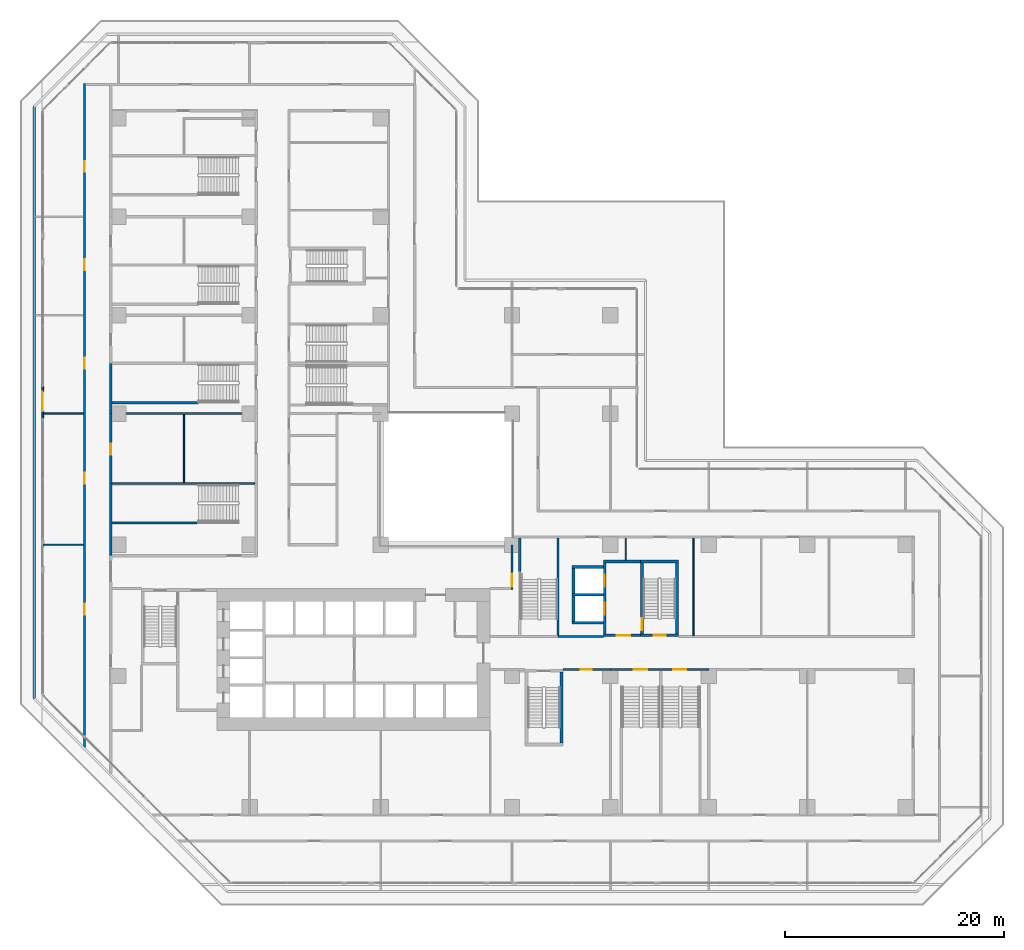
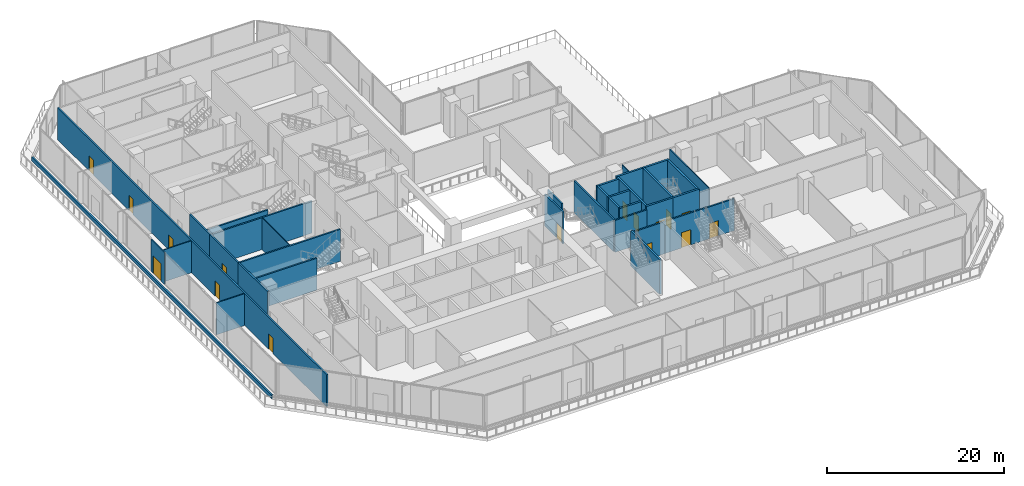
# One storey, part 13 of 25: 34 walls, 16 doors, 16 openings.
"""IFC4 building model written with IfcOpenShell, lengths in metres."""

from ifc_helpers import new_model, si_unit, direction, frame, frame_2d, origin, place, context, subcontext, project, spatial, rectangle, extrude, material, layer, layer_set, type_object, element, fill, save


model = new_model("IFC4")

# Units and contexts
model_context = context("Model", 3, precision=1e-05, world=origin(), true_north=direction((0.0, 1.0)))
body_context = subcontext(model_context, "Body", "Model", "MODEL_VIEW")
ifc_project = project(units=[si_unit("LENGTHUNIT", "METRE"), si_unit("AREAUNIT", "SQUARE_METRE"), si_unit("VOLUMEUNIT", "CUBIC_METRE"), si_unit("PLANEANGLEUNIT", "RADIAN"), si_unit("MASSUNIT", "GRAM", prefix="KILO")], contexts=[model_context])

# Site, building, storey
site_placement = place(None, origin())
site = spatial("IfcSite", under=ifc_project, at=site_placement, CompositionType="ELEMENT")
building_placement = place(site_placement, origin())
building = spatial("IfcBuilding", under=site, at=building_placement, Name="Chenar Terraces", CompositionType="ELEMENT")
storey_placement = place(building_placement, frame((0.0, 0.0, 21.60009765625)))
storey = spatial("IfcBuildingStorey", under=building, at=storey_placement, Name="L04", CompositionType="ELEMENT", Elevation=21.60009765625)

# Walls
ifc_material_1 = material(Name="Gypsum board on steel studs with mineral wool", Category="steel")
ifc_layer_1 = layer(ifc_material_1, 0.125)
ifc_layer_set_1 = layer_set([ifc_layer_1], Name="Gypsum board on steel studs with mineral wool")
wall_type_1 = type_object("IfcWallType", Name="Acoustic partition 125", PredefinedType="PARTITIONING", material=ifc_layer_set_1)
for number, where, z_axis, x_axis, name in (
    (1, (-6.85107421875, 24.0, 0.0), (0.0, 0.0, 1.0), (1.0, 0.0, 0.0), "Partition L04-003"),
    (2, (-6.85107421875, 36.0, 0.0), (0.0, 0.0, 1.0), (1.0, 0.0, 0.0), "Partition L04-004"),
):
    element("IfcWall", number, at=place(storey_placement, frame(where, z_axis=z_axis, x_axis=x_axis)), inside=storey, type_object=wall_type_1, Name=name, PredefinedType="PARTITIONING", context=body_context, shape_type="SweptSolid", body=[
        extrude(rectangle(XDim=3.651123046875, YDim=0.125, at=frame_2d((1.82568359375, 0.0))), origin(), (0.0, 0.0, 1.0), 4.39990234375),
    ])
wall_1_placement = place(storey_placement, frame((6.0, 29.699951171875, 0.0), z_axis=(0.0, 0.0, 1.0), x_axis=(0.0, 1.0, 0.0)))
element("IfcWall", 3, at=wall_1_placement, inside=storey, type_object=wall_type_1, Name="Partition L04-031", PredefinedType="PARTITIONING", context=body_context, shape_type="SweptSolid", body=[
    extrude(rectangle(XDim=6.199951171875, YDim=0.125, at=frame_2d((3.10009765625, 0.0))), origin(), (0.0, 0.0, 1.0), 4.39990234375),
])
wall_2_placement = place(storey_placement, frame((46.39990234375, 22.60009765625, 0.0), z_axis=(0.0, 0.0, 1.0), x_axis=(0.0, 1.0, 0.0)))
element("IfcWall", 4, at=wall_2_placement, inside=storey, type_object=wall_type_1, Name="Partition L04-091", PredefinedType="PARTITIONING", context=body_context, shape_type="SweptSolid", body=[
    extrude(rectangle(XDim=2.0, YDim=0.125, at=frame_2d((1.0, 0.0))), origin(), (0.0, 0.0, 1.0), 4.39990234375),
])
wall_3_placement = place(storey_placement, frame((52.60009765625, 15.699951171875, 0.0), z_axis=(0.0, 0.0, 1.0), x_axis=(0.0, 1.0, 0.0)))
element("IfcWall", 5, at=wall_3_placement, inside=storey, type_object=wall_type_1, Name="Partition L04-094", PredefinedType="PARTITIONING", context=body_context, shape_type="SweptSolid", body=[
    extrude(rectangle(XDim=8.900146484375, YDim=0.125, at=frame_2d((4.4501953125, 0.0))), origin(), (0.0, 0.0, 1.0), 4.39990234375),
])
ifc_material_2 = material(Name="Concrete C70/85", Category="concrete")
ifc_layer_2 = layer(ifc_material_2, 0.25)
ifc_layer_set_2 = layer_set([ifc_layer_2], Name="Concrete C70/85")
wall_type_2 = type_object("IfcWallType", Name="Core wall 250 Concrete C70/85", PredefinedType="SHEAR", material=ifc_layer_set_2)
wall_4_placement = place(storey_placement, frame((40.52490234375, 5.85009765625, 0.0), z_axis=(0.0, 0.0, 1.0), x_axis=(0.0, 1.0, 0.0)))
element("IfcWall", 6, at=wall_4_placement, inside=storey, type_object=wall_type_2, Name="Core wall ST2_E L04", PredefinedType="SHEAR", context=body_context, shape_type="SweptSolid", body=[
    extrude(rectangle(XDim=6.5, YDim=0.25, at=frame_2d((3.25, 0.0))), origin(), (0.0, 0.0, 1.0), 4.7998046875),
])

# Wall, opening, door
wall_5_placement = place(storey_placement, frame((47.77490234375, 15.72509765625, 0.0), z_axis=(0.0, 0.0, 1.0), x_axis=(1.0, 0.0, 0.0)))
wall_5 = element("IfcWall", 7, at=wall_5_placement, inside=storey, type_object=wall_type_2, Name="Core wall ST3_S L04", PredefinedType="SHEAR", context=body_context, shape_type="SweptSolid", body=[
    extrude(rectangle(XDim=3.4501953125, YDim=0.25, at=frame_2d((1.72509765625, 0.0))), origin(), (0.0, 0.0, 1.0), 4.7998046875),
])
opening_1_placement = place(wall_5_placement, frame((1.175048828125, 0.0, 0.0)))
opening_1 = element("IfcOpeningElement", 8, at=opening_1_placement, cuts=wall_5, Name="Opening DL04-C8", PredefinedType="OPENING", context=body_context, shape_type="SweptSolid", body=[
    extrude(rectangle(XDim=1.10009765625, YDim=2.199951171875, at=frame_2d((0.550048828125, 1.10009765625))), frame((0.0, 0.135009765625, 0.0), z_axis=(0.0, -1.0, 0.0), x_axis=(1.0, 0.0, 0.0)), (0.0, 0.0, 1.0), 0.27001953125),
])
ifc_material_3 = material(Name="Steel-framed fire-resisting door leaf", Category="steel")
door_type_1 = type_object("IfcDoorType", Name="Stair fire door FD60 1100 x 2200", OperationType="SINGLE_SWING_LEFT", PredefinedType="DOOR", material=ifc_material_3)
door_1_placement = place(opening_1_placement, frame((1.10009765625, 0.0, 0.0), z_axis=(0.0, 0.0, 1.0), x_axis=(-1.0, 0.0, 0.0)))
door_1 = element("IfcDoor", 9, at=door_1_placement, inside=storey, type_object=door_type_1, Name="Stair door DL04-C8", OperationType="SINGLE_SWING_LEFT", OverallHeight=2.199951171875, OverallWidth=1.10009765625, PredefinedType="DOOR", context=body_context, shape_type="SweptSolid", body=[
    extrude(rectangle(XDim=1.10009765625, YDim=2.199951171875, at=frame_2d((0.550048828125, 1.10009765625))), frame((0.0, 0.02490234375, 0.0), z_axis=(0.0, -1.0, 0.0), x_axis=(1.0, 0.0, 0.0)), (0.0, 0.0, 1.0), 0.050048828125),
])
fill(opening_1, door_1)

# Wall
wall_6_placement = place(storey_placement, frame((47.77490234375, 22.47509765625, 0.0), z_axis=(0.0, 0.0, 1.0), x_axis=(1.0, 0.0, 0.0)))
element("IfcWall", 10, at=wall_6_placement, inside=storey, type_object=wall_type_2, Name="Core wall ST3_N L04", PredefinedType="SHEAR", context=body_context, shape_type="SweptSolid", body=[
    extrude(rectangle(XDim=3.4501953125, YDim=0.25, at=frame_2d((1.72509765625, 0.0))), origin(), (0.0, 0.0, 1.0), 4.7998046875),
])

# Wall, opening, door
wall_7_placement = place(storey_placement, frame((47.89990234375, 15.85009765625, 0.0), z_axis=(0.0, 0.0, 1.0), x_axis=(0.0, 1.0, 0.0)))
wall_7 = element("IfcWall", 11, at=wall_7_placement, inside=storey, type_object=wall_type_2, Name="Core wall ST3_W L04", PredefinedType="SHEAR", context=body_context, shape_type="SweptSolid", body=[
    extrude(rectangle(XDim=6.5, YDim=0.25, at=frame_2d((3.25, 0.0))), origin(), (0.0, 0.0, 1.0), 4.7998046875),
])
opening_2_placement = place(wall_7_placement, frame((0.35009765625, 0.0, 0.0)))
opening_2 = element("IfcOpeningElement", 12, at=opening_2_placement, cuts=wall_7, Name="Opening DL04-C11", PredefinedType="OPENING", context=body_context, shape_type="SweptSolid", body=[
    extrude(rectangle(XDim=1.10009765625, YDim=2.199951171875, at=frame_2d((0.550048828125, 1.10009765625))), frame((0.0, 0.135009765625, 0.0), z_axis=(0.0, -1.0, 0.0), x_axis=(1.0, 0.0, 0.0)), (0.0, 0.0, 1.0), 0.27001953125),
])
door_2_placement = place(opening_2_placement, frame((1.10009765625, 0.0, 0.0), z_axis=(0.0, 0.0, 1.0), x_axis=(-1.0, 0.0, 0.0)))
door_2 = element("IfcDoor", 13, at=door_2_placement, inside=storey, type_object=door_type_1, Name="Stair door DL04-C11", OperationType="SINGLE_SWING_RIGHT", OverallHeight=2.199951171875, OverallWidth=1.10009765625, PredefinedType="DOOR", context=body_context, shape_type="SweptSolid", body=[
    extrude(rectangle(XDim=1.10009765625, YDim=2.199951171875, at=frame_2d((0.550048828125, 1.10009765625))), frame((0.0, 0.02490234375, 0.0), z_axis=(0.0, -1.0, 0.0), x_axis=(1.0, 0.0, 0.0)), (0.0, 0.0, 1.0), 0.050048828125),
])
fill(opening_2, door_2)

# Wall
wall_8_placement = place(storey_placement, frame((51.10009765625, 15.85009765625, 0.0), z_axis=(0.0, 0.0, 1.0), x_axis=(0.0, 1.0, 0.0)))
element("IfcWall", 14, at=wall_8_placement, inside=storey, type_object=wall_type_2, Name="Core wall ST3_E L04", PredefinedType="SHEAR", context=body_context, shape_type="SweptSolid", body=[
    extrude(rectangle(XDim=6.5, YDim=0.25, at=frame_2d((3.25, 0.0))), origin(), (0.0, 0.0, 1.0), 4.7998046875),
])

# Wall, opening, door
wall_9_placement = place(storey_placement, frame((44.35009765625, 15.72509765625, 0.0), z_axis=(0.0, 0.0, 1.0), x_axis=(1.0, 0.0, 0.0)))
wall_9 = element("IfcWall", 15, at=wall_9_placement, inside=storey, type_object=wall_type_2, Name="Core wall F3_LS L04", PredefinedType="SHEAR", context=body_context, shape_type="SweptSolid", body=[
    extrude(rectangle(XDim=3.4248046875, YDim=0.25, at=frame_2d((1.71240234375, 0.0))), origin(), (0.0, 0.0, 1.0), 4.7998046875),
])
opening_3_placement = place(wall_9_placement, frame((1.25, 0.0, 0.0)))
opening_3 = element("IfcOpeningElement", 16, at=opening_3_placement, cuts=wall_9, Name="Opening DL04-C10", PredefinedType="OPENING", context=body_context, shape_type="SweptSolid", body=[
    extrude(rectangle(XDim=1.199951171875, YDim=2.199951171875, at=frame_2d((0.60009765625, 1.10009765625))), frame((0.0, 0.135009765625, 0.0), z_axis=(0.0, -1.0, 0.0), x_axis=(1.0, 0.0, 0.0)), (0.0, 0.0, 1.0), 0.27001953125),
])
ifc_material_4 = material(Name="Steel-framed fire-resisting door leaf", Category="steel")
door_type_2 = type_object("IfcDoorType", Name="Lobby fire door FD60 1200 x 2200", OperationType="SINGLE_SWING_LEFT", PredefinedType="DOOR", material=ifc_material_4)
door_3_placement = place(opening_3_placement, origin())
door_3 = element("IfcDoor", 17, at=door_3_placement, inside=storey, type_object=door_type_2, Name="Core door DL04-C10", OperationType="SINGLE_SWING_RIGHT", OverallHeight=2.199951171875, OverallWidth=1.199951171875, PredefinedType="DOOR", context=body_context, shape_type="SweptSolid", body=[
    extrude(rectangle(XDim=1.199951171875, YDim=2.199951171875, at=frame_2d((0.60009765625, 1.10009765625))), frame((0.0, 0.02490234375, 0.0), z_axis=(0.0, -1.0, 0.0), x_axis=(1.0, 0.0, 0.0)), (0.0, 0.0, 1.0), 0.050048828125),
])
fill(opening_3, door_3)

# Wall
wall_10_placement = place(storey_placement, frame((44.35009765625, 22.47509765625, 0.0), z_axis=(0.0, 0.0, 1.0), x_axis=(1.0, 0.0, 0.0)))
element("IfcWall", 18, at=wall_10_placement, inside=storey, type_object=wall_type_2, Name="Core wall F3_LN L04", PredefinedType="SHEAR", context=body_context, shape_type="SweptSolid", body=[
    extrude(rectangle(XDim=3.4248046875, YDim=0.25, at=frame_2d((1.71240234375, 0.0))), origin(), (0.0, 0.0, 1.0), 4.7998046875),
])

# Wall, openings, doors
wall_11_placement = place(storey_placement, frame((44.47509765625, 15.85009765625, 0.0), z_axis=(0.0, 0.0, 1.0), x_axis=(0.0, 1.0, 0.0)))
wall_11 = element("IfcWall", 19, at=wall_11_placement, inside=storey, type_object=wall_type_2, Name="Core wall F3_LW L04", PredefinedType="SHEAR", context=body_context, shape_type="SweptSolid", body=[
    extrude(rectangle(XDim=6.5, YDim=0.25, at=frame_2d((3.25, 0.0))), origin(), (0.0, 0.0, 1.0), 4.7998046875),
])
opening_4_placement = place(wall_11_placement, frame((1.75, 0.0, 0.0)))
opening_4 = element("IfcOpeningElement", 20, at=opening_4_placement, cuts=wall_11, Name="Opening DL04-LD4", PredefinedType="OPENING", context=body_context, shape_type="SweptSolid", body=[
    extrude(rectangle(XDim=1.10009765625, YDim=2.199951171875, at=frame_2d((0.550048828125, 1.10009765625))), frame((0.0, 0.135009765625, 0.0), z_axis=(0.0, -1.0, 0.0), x_axis=(1.0, 0.0, 0.0)), (0.0, 0.0, 1.0), 0.27001953125),
])
opening_5_placement = place(wall_11_placement, frame((4.300048828125, 0.0, 0.0)))
opening_5 = element("IfcOpeningElement", 21, at=opening_5_placement, cuts=wall_11, Name="Opening DL04-LD5", PredefinedType="OPENING", context=body_context, shape_type="SweptSolid", body=[
    extrude(rectangle(XDim=1.10009765625, YDim=2.199951171875, at=frame_2d((0.550048828125, 1.10009765625))), frame((0.0, 0.135009765625, 0.0), z_axis=(0.0, -1.0, 0.0), x_axis=(1.0, 0.0, 0.0)), (0.0, 0.0, 1.0), 0.27001953125),
])
ifc_material_5 = material(Name="Stainless steel", Category="steel")
door_type_3 = type_object("IfcDoorType", Name="Lift landing door 1100 x 2200 sliding", OperationType="DOUBLE_DOOR_SLIDING", PredefinedType="DOOR", material=ifc_material_5)
door_4_placement = place(opening_4_placement, origin())
door_4 = element("IfcDoor", 22, at=door_4_placement, inside=storey, type_object=door_type_3, Name="Landing door F3", OperationType="DOUBLE_DOOR_SLIDING", OverallHeight=2.199951171875, OverallWidth=1.10009765625, PredefinedType="DOOR", context=body_context, shape_type="SweptSolid", body=[
    extrude(rectangle(XDim=1.10009765625, YDim=2.199951171875, at=frame_2d((0.550048828125, 1.10009765625))), frame((0.0, 0.02490234375, 0.0), z_axis=(0.0, -1.0, 0.0), x_axis=(1.0, 0.0, 0.0)), (0.0, 0.0, 1.0), 0.050048828125),
])
fill(opening_4, door_4)
door_5_placement = place(opening_5_placement, origin())
door_5 = element("IfcDoor", 23, at=door_5_placement, inside=storey, type_object=door_type_3, Name="Landing door F4", OperationType="DOUBLE_DOOR_SLIDING", OverallHeight=2.199951171875, OverallWidth=1.10009765625, PredefinedType="DOOR", context=body_context, shape_type="SweptSolid", body=[
    extrude(rectangle(XDim=1.10009765625, YDim=2.199951171875, at=frame_2d((0.550048828125, 1.10009765625))), frame((0.0, 0.02490234375, 0.0), z_axis=(0.0, -1.0, 0.0), x_axis=(1.0, 0.0, 0.0)), (0.0, 0.0, 1.0), 0.050048828125),
])
fill(opening_5, door_5)

# Walls
for number, where, z_axis, x_axis, name in (
    (24, (41.5, 16.875, 0.0), (0.0, 0.0, 1.0), (1.0, 0.0, 0.0), "Core wall F3_SS L04"),
    (25, (41.5, 19.425048828125, 0.0), (0.0, 0.0, 1.0), (1.0, 0.0, 0.0), "Core wall F3_SM L04"),
    (26, (41.5, 21.97509765625, 0.0), (0.0, 0.0, 1.0), (1.0, 0.0, 0.0), "Core wall F4_SN L04"),
):
    element("IfcWall", number, at=place(storey_placement, frame(where, z_axis=z_axis, x_axis=x_axis)), inside=storey, type_object=wall_type_2, Name=name, PredefinedType="SHEAR", context=body_context, shape_type="SweptSolid", body=[
        extrude(rectangle(XDim=2.85009765625, YDim=0.25, at=frame_2d((1.425048828125, 0.0))), origin(), (0.0, 0.0, 1.0), 4.7998046875),
    ])
for number, where, z_axis, x_axis, name in (
    (27, (41.625, 17.0, 0.0), (0.0, 0.0, 1.0), (0.0, 1.0, 0.0), "Core wall F3_SW L04"),
    (28, (41.625, 19.550048828125, 0.0), (0.0, 0.0, 1.0), (0.0, 1.0, 0.0), "Core wall F4_SW L04"),
):
    element("IfcWall", number, at=place(storey_placement, frame(where, z_axis=z_axis, x_axis=x_axis)), inside=storey, type_object=wall_type_2, Name=name, PredefinedType="SHEAR", context=body_context, shape_type="SweptSolid", body=[
        extrude(rectangle(XDim=2.300048828125, YDim=0.25, at=frame_2d((1.14990234375, 0.0))), origin(), (0.0, 0.0, 1.0), 4.7998046875),
    ])

# Wall, openings, doors
ifc_material_6 = material(Name="Gypsum board on steel studs with fire boards", Category="steel")
ifc_layer_3 = layer(ifc_material_6, 0.199951171875)
ifc_layer_set_3 = layer_set([ifc_layer_3], Name="Gypsum board on steel studs with fire boards")
wall_type_3 = type_object("IfcWallType", Name="Corridor wall 200", PredefinedType="PARTITIONING", material=ifc_layer_set_3)
wall_12_placement = place(storey_placement, frame((-3.10009765625, 5.473388671875, 0.0), z_axis=(0.0, 0.0, 1.0), x_axis=(0.0, 1.0, 0.0)))
wall_12 = element("IfcWall", 29, at=wall_12_placement, inside=storey, type_object=wall_type_3, Name="Partition L04-005", PredefinedType="PARTITIONING", context=body_context, shape_type="SweptSolid", body=[
    extrude(rectangle(XDim=60.7265625, YDim=0.199951171875, at=frame_2d((30.36328125, 0.0))), origin(), (0.0, 0.0, 1.0), 4.39990234375),
])
opening_6_placement = place(wall_12_placement, frame((12.126953125, 0.0, 0.0)))
opening_6 = element("IfcOpeningElement", 30, at=opening_6_placement, cuts=wall_12, Name="Opening DL04-49", PredefinedType="OPENING", context=body_context, shape_type="SweptSolid", body=[
    extrude(rectangle(XDim=1.0, YDim=2.10009765625, at=frame_2d((0.5, 1.050048828125))), frame((0.0, 0.10986328125, 0.0), z_axis=(0.0, -1.0, 0.0), x_axis=(1.0, 0.0, 0.0)), (0.0, 0.0, 1.0), 0.219970703125),
])
opening_7_placement = place(wall_12_placement, frame((24.126953125, 0.0, 0.0)))
opening_7 = element("IfcOpeningElement", 31, at=opening_7_placement, cuts=wall_12, Name="Opening DL04-50", PredefinedType="OPENING", context=body_context, shape_type="SweptSolid", body=[
    extrude(rectangle(XDim=1.0, YDim=2.10009765625, at=frame_2d((0.5, 1.050048828125))), frame((0.0, 0.10986328125, 0.0), z_axis=(0.0, -1.0, 0.0), x_axis=(1.0, 0.0, 0.0)), (0.0, 0.0, 1.0), 0.219970703125),
])
opening_8_placement = place(wall_12_placement, frame((34.626953125, 0.0, 0.0)))
opening_8 = element("IfcOpeningElement", 32, at=opening_8_placement, cuts=wall_12, Name="Opening DL04-51", PredefinedType="OPENING", context=body_context, shape_type="SweptSolid", body=[
    extrude(rectangle(XDim=1.0, YDim=2.10009765625, at=frame_2d((0.5, 1.050048828125))), frame((0.0, 0.10986328125, 0.0), z_axis=(0.0, -1.0, 0.0), x_axis=(1.0, 0.0, 0.0)), (0.0, 0.0, 1.0), 0.219970703125),
])
opening_9_placement = place(wall_12_placement, frame((43.626953125, 0.0, 0.0)))
opening_9 = element("IfcOpeningElement", 33, at=opening_9_placement, cuts=wall_12, Name="Opening DL04-52", PredefinedType="OPENING", context=body_context, shape_type="SweptSolid", body=[
    extrude(rectangle(XDim=1.0, YDim=2.10009765625, at=frame_2d((0.5, 1.050048828125))), frame((0.0, 0.10986328125, 0.0), z_axis=(0.0, -1.0, 0.0), x_axis=(1.0, 0.0, 0.0)), (0.0, 0.0, 1.0), 0.219970703125),
])
opening_10_placement = place(wall_12_placement, frame((52.626953125, 0.0, 0.0)))
opening_10 = element("IfcOpeningElement", 34, at=opening_10_placement, cuts=wall_12, Name="Opening DL04-53", PredefinedType="OPENING", context=body_context, shape_type="SweptSolid", body=[
    extrude(rectangle(XDim=1.0, YDim=2.10009765625, at=frame_2d((0.5, 1.050048828125))), frame((0.0, 0.10986328125, 0.0), z_axis=(0.0, -1.0, 0.0), x_axis=(1.0, 0.0, 0.0)), (0.0, 0.0, 1.0), 0.219970703125),
])
ifc_material_7 = material(Name="Steel-framed fire-resisting door leaf", Category="steel")
door_type_4 = type_object("IfcDoorType", Name="Fire door FD60 1000 x 2100", OperationType="SINGLE_SWING_LEFT", PredefinedType="DOOR", material=ifc_material_7)
door_6_placement = place(opening_6_placement, origin())
door_6 = element("IfcDoor", 35, at=door_6_placement, inside=storey, type_object=door_type_4, Name="Door DL04-49", OperationType="SINGLE_SWING_LEFT", OverallHeight=2.10009765625, OverallWidth=1.0, PredefinedType="DOOR", context=body_context, shape_type="SweptSolid", body=[
    extrude(rectangle(XDim=1.0, YDim=2.10009765625, at=frame_2d((0.5, 1.050048828125))), frame((0.0, 0.02490234375, 0.0), z_axis=(0.0, -1.0, 0.0), x_axis=(1.0, 0.0, 0.0)), (0.0, 0.0, 1.0), 0.050048828125),
])
fill(opening_6, door_6)
door_7_placement = place(opening_7_placement, origin())
door_7 = element("IfcDoor", 36, at=door_7_placement, inside=storey, type_object=door_type_4, Name="Door DL04-50", OperationType="SINGLE_SWING_LEFT", OverallHeight=2.10009765625, OverallWidth=1.0, PredefinedType="DOOR", context=body_context, shape_type="SweptSolid", body=[
    extrude(rectangle(XDim=1.0, YDim=2.10009765625, at=frame_2d((0.5, 1.050048828125))), frame((0.0, 0.02490234375, 0.0), z_axis=(0.0, -1.0, 0.0), x_axis=(1.0, 0.0, 0.0)), (0.0, 0.0, 1.0), 0.050048828125),
])
fill(opening_7, door_7)
door_8_placement = place(opening_8_placement, origin())
door_8 = element("IfcDoor", 37, at=door_8_placement, inside=storey, type_object=door_type_4, Name="Door DL04-51", OperationType="SINGLE_SWING_RIGHT", OverallHeight=2.10009765625, OverallWidth=1.0, PredefinedType="DOOR", context=body_context, shape_type="SweptSolid", body=[
    extrude(rectangle(XDim=1.0, YDim=2.10009765625, at=frame_2d((0.5, 1.050048828125))), frame((0.0, 0.02490234375, 0.0), z_axis=(0.0, -1.0, 0.0), x_axis=(1.0, 0.0, 0.0)), (0.0, 0.0, 1.0), 0.050048828125),
])
fill(opening_8, door_8)
door_9_placement = place(opening_9_placement, origin())
door_9 = element("IfcDoor", 38, at=door_9_placement, inside=storey, type_object=door_type_4, Name="Door DL04-52", OperationType="SINGLE_SWING_RIGHT", OverallHeight=2.10009765625, OverallWidth=1.0, PredefinedType="DOOR", context=body_context, shape_type="SweptSolid", body=[
    extrude(rectangle(XDim=1.0, YDim=2.10009765625, at=frame_2d((0.5, 1.050048828125))), frame((0.0, 0.02490234375, 0.0), z_axis=(0.0, -1.0, 0.0), x_axis=(1.0, 0.0, 0.0)), (0.0, 0.0, 1.0), 0.050048828125),
])
fill(opening_9, door_9)
door_10_placement = place(opening_10_placement, origin())
door_10 = element("IfcDoor", 39, at=door_10_placement, inside=storey, type_object=door_type_4, Name="Door DL04-53", OperationType="SINGLE_SWING_RIGHT", OverallHeight=2.10009765625, OverallWidth=1.0, PredefinedType="DOOR", context=body_context, shape_type="SweptSolid", body=[
    extrude(rectangle(XDim=1.0, YDim=2.10009765625, at=frame_2d((0.5, 1.050048828125))), frame((0.0, 0.02490234375, 0.0), z_axis=(0.0, -1.0, 0.0), x_axis=(1.0, 0.0, 0.0)), (0.0, 0.0, 1.0), 0.050048828125),
])
fill(opening_10, door_10)

# Wall, opening, door
wall_13_placement = place(storey_placement, frame((-0.699951171875, 29.60009765625, 0.0), z_axis=(0.0, 0.0, 1.0), x_axis=(0.0, 1.0, 0.0)))
wall_13 = element("IfcWall", 40, at=wall_13_placement, inside=storey, type_object=wall_type_3, Name="Partition L04-009", PredefinedType="PARTITIONING", context=body_context, shape_type="SweptSolid", body=[
    extrude(rectangle(XDim=6.39990234375, YDim=0.199951171875, at=frame_2d((3.199951171875, 0.0))), origin(), (0.0, 0.0, 1.0), 4.39990234375),
])
opening_11_placement = place(wall_13_placement, frame((2.64990234375, 0.0, 0.0)))
opening_11 = element("IfcOpeningElement", 41, at=opening_11_placement, cuts=wall_13, Name="Opening DL04-27", PredefinedType="OPENING", context=body_context, shape_type="SweptSolid", body=[
    extrude(rectangle(XDim=1.0, YDim=2.10009765625, at=frame_2d((0.5, 1.050048828125))), frame((0.0, 0.10986328125, 0.0), z_axis=(0.0, -1.0, 0.0), x_axis=(1.0, 0.0, 0.0)), (0.0, 0.0, 1.0), 0.219970703125),
])
door_11_placement = place(opening_11_placement, frame((1.0, 0.0, 0.0), z_axis=(0.0, 0.0, 1.0), x_axis=(-1.0, 0.0, 0.0)))
door_11 = element("IfcDoor", 42, at=door_11_placement, inside=storey, type_object=door_type_4, Name="Door DL04-27", OperationType="SINGLE_SWING_LEFT", OverallHeight=2.10009765625, OverallWidth=1.0, PredefinedType="DOOR", context=body_context, shape_type="SweptSolid", body=[
    extrude(rectangle(XDim=1.0, YDim=2.10009765625, at=frame_2d((0.5, 1.050048828125))), frame((0.0, 0.02490234375, 0.0), z_axis=(0.0, -1.0, 0.0), x_axis=(1.0, 0.0, 0.0)), (0.0, 0.0, 1.0), 0.050048828125),
])
fill(opening_11, door_11)

# Wall
wall_14_placement = place(storey_placement, frame((40.199951171875, 15.60009765625, 0.0), z_axis=(0.0, 0.0, 1.0), x_axis=(1.0, 0.0, 0.0)))
element("IfcWall", 43, at=wall_14_placement, inside=storey, type_object=wall_type_3, Name="Partition L04-082", PredefinedType="PARTITIONING", context=body_context, shape_type="SweptSolid", body=[
    extrude(rectangle(XDim=4.150146484375, YDim=0.199951171875, at=frame_2d((2.0751953125, 0.0))), origin(), (0.0, 0.0, 1.0), 4.39990234375),
])

# Wall, opening, door
wall_15_placement = place(storey_placement, frame((40.64990234375, 12.60009765625, 0.0), z_axis=(0.0, 0.0, 1.0), x_axis=(1.0, 0.0, 0.0)))
wall_15 = element("IfcWall", 44, at=wall_15_placement, inside=storey, type_object=wall_type_3, Name="Partition L04-085", PredefinedType="PARTITIONING", context=body_context, shape_type="SweptSolid", body=[
    extrude(rectangle(XDim=4.35009765625, YDim=0.199951171875, at=frame_2d((2.175048828125, 0.0))), origin(), (0.0, 0.0, 1.0), 4.39990234375),
])
opening_12_placement = place(wall_15_placement, frame((1.64990234375, 0.0, 0.0)))
opening_12 = element("IfcOpeningElement", 45, at=opening_12_placement, cuts=wall_15, Name="Opening DL04-7", PredefinedType="OPENING", context=body_context, shape_type="SweptSolid", body=[
    extrude(rectangle(XDim=1.0, YDim=2.10009765625, at=frame_2d((0.5, 1.050048828125))), frame((0.0, 0.10986328125, 0.0), z_axis=(0.0, -1.0, 0.0), x_axis=(1.0, 0.0, 0.0)), (0.0, 0.0, 1.0), 0.219970703125),
])
door_12_placement = place(opening_12_placement, frame((1.0, 0.0, 0.0), z_axis=(0.0, 0.0, 1.0), x_axis=(-1.0, 0.0, 0.0)))
door_12 = element("IfcDoor", 46, at=door_12_placement, inside=storey, type_object=door_type_4, Name="Door DL04-7", OperationType="SINGLE_SWING_LEFT", OverallHeight=2.10009765625, OverallWidth=1.0, PredefinedType="DOOR", context=body_context, shape_type="SweptSolid", body=[
    extrude(rectangle(XDim=1.0, YDim=2.10009765625, at=frame_2d((0.5, 1.050048828125))), frame((0.0, 0.02490234375, 0.0), z_axis=(0.0, -1.0, 0.0), x_axis=(1.0, 0.0, 0.0)), (0.0, 0.0, 1.0), 0.050048828125),
])
fill(opening_12, door_12)

ifc_material_8 = material(Name="Aluminium framed glazing", Category="aluminium")
ifc_layer_4 = layer(ifc_material_8, 0.14990234375)
ifc_layer_set_4 = layer_set([ifc_layer_4], Name="Aluminium framed glazing")
wall_type_4 = type_object("IfcWallType", Name="Podium glazed wall 150", PredefinedType="SOLIDWALL", material=ifc_layer_set_4)
wall_16_placement = place(storey_placement, frame((-6.925048828125, 38.5, 0.0), z_axis=(0.0, 0.0, 1.0), x_axis=(0.0, -1.0, 0.0)))
wall_16 = element("IfcWall", 47, at=wall_16_placement, inside=storey, type_object=wall_type_4, Name="Podium glazed wall", PredefinedType="SOLIDWALL", context=body_context, shape_type="SweptSolid", body=[
    extrude(rectangle(XDim=3.0, YDim=0.14990234375, at=frame_2d((1.5, 0.0))), origin(), (0.0, 0.0, 1.0), 4.39990234375),
])
opening_13_placement = place(wall_16_placement, frame((0.5, 0.0, 0.0)))
opening_13 = element("IfcOpeningElement", 48, at=opening_13_placement, cuts=wall_16, Name="Opening DL04-T2", PredefinedType="OPENING", context=body_context, shape_type="SweptSolid", body=[
    extrude(rectangle(XDim=1.800048828125, YDim=2.39990234375, at=frame_2d((0.89990234375, 1.199951171875))), frame((0.0, 0.0849609375, 0.0), z_axis=(0.0, -1.0, 0.0), x_axis=(1.0, 0.0, 0.0)), (0.0, 0.0, 1.0), 0.169921875),
])
ifc_material_9 = material(Name="Low emissivity double glazing, aluminium frame", Category="aluminium")
door_type_5 = type_object("IfcDoorType", Name="Terrace glazed double door 1800 x 2400", OperationType="DOUBLE_DOOR_SINGLE_SWING", PredefinedType="DOOR", material=ifc_material_9)
door_13_placement = place(opening_13_placement, origin())
door_13 = element("IfcDoor", 49, at=door_13_placement, inside=storey, type_object=door_type_5, Name="Terrace glazed door", OperationType="DOUBLE_DOOR_SINGLE_SWING", OverallHeight=2.39990234375, OverallWidth=1.800048828125, PredefinedType="DOOR", context=body_context, shape_type="SweptSolid", body=[
    extrude(rectangle(XDim=1.800048828125, YDim=2.39990234375, at=frame_2d((0.89990234375, 1.199951171875))), frame((0.0, 0.02490234375, 0.0), z_axis=(0.0, -1.0, 0.0), x_axis=(1.0, 0.0, 0.0)), (0.0, 0.0, 1.0), 0.050048828125),
])
fill(opening_13, door_13)

# Walls
ifc_material_10 = material(Name="Reinforced concrete C40/50", Category="concrete")
ifc_layer_5 = layer(ifc_material_10, 0.199951171875)
ifc_layer_set_5 = layer_set([ifc_layer_5], Name="Reinforced concrete C40/50")
wall_type_5 = type_object("IfcWallType", Name="Stair enclosure wall 200 concrete", PredefinedType="SOLIDWALL", material=ifc_layer_set_5)
wall_17_placement = place(storey_placement, frame((-0.699951171875, 23.0, 0.0), z_axis=(0.0, 0.0, 1.0), x_axis=(0.0, 1.0, 0.0)))
element("IfcWall", 50, at=wall_17_placement, inside=storey, type_object=wall_type_5, Name="Stair enclosure wall L04-008", PredefinedType="SOLIDWALL", context=body_context, shape_type="SweptSolid", body=[
    extrude(rectangle(XDim=6.60009765625, YDim=0.199951171875, at=frame_2d((3.300048828125, 0.0))), origin(), (0.0, 0.0, 1.0), 4.39990234375),
])
wall_18_placement = place(storey_placement, frame((-0.699951171875, 36.0, 0.0), z_axis=(0.0, 0.0, 1.0), x_axis=(0.0, 1.0, 0.0)))
element("IfcWall", 51, at=wall_18_placement, inside=storey, type_object=wall_type_5, Name="Stair enclosure wall L04-010", PredefinedType="SOLIDWALL", context=body_context, shape_type="SweptSolid", body=[
    extrude(rectangle(XDim=4.60009765625, YDim=0.199951171875, at=frame_2d((2.300048828125, 0.0))), origin(), (0.0, 0.0, 1.0), 4.39990234375),
])
for number, where, z_axis, x_axis, name in (
    (52, (-0.60009765625, 29.60009765625, 0.0), (0.0, 0.0, 1.0), (1.0, 0.0, 0.0), "Stair enclosure wall L04-019"),
    (53, (-0.60009765625, 36.0, 0.0), (0.0, 0.0, 1.0), (1.0, 0.0, 0.0), "Stair enclosure wall L04-020"),
):
    element("IfcWall", number, at=place(storey_placement, frame(where, z_axis=z_axis, x_axis=x_axis)), inside=storey, type_object=wall_type_5, Name=name, PredefinedType="SOLIDWALL", context=body_context, shape_type="SweptSolid", body=[
        extrude(rectangle(XDim=13.10009765625, YDim=0.199951171875, at=frame_2d((6.550048828125, 0.0))), origin(), (0.0, 0.0, 1.0), 4.39990234375),
    ])

# Wall, opening, door
wall_19_placement = place(storey_placement, frame((36.0, 19.89990234375, 0.0), z_axis=(0.0, 0.0, 1.0), x_axis=(0.0, 1.0, 0.0)))
wall_19 = element("IfcWall", 54, at=wall_19_placement, inside=storey, type_object=wall_type_5, Name="Stair enclosure wall L04-075", PredefinedType="SOLIDWALL", context=body_context, shape_type="SweptSolid", body=[
    extrude(rectangle(XDim=4.10009765625, YDim=0.199951171875, at=frame_2d((2.050048828125, 0.0))), origin(), (0.0, 0.0, 1.0), 4.39990234375),
])
opening_14_placement = place(wall_19_placement, frame((0.25, 0.0, 0.0)))
opening_14 = element("IfcOpeningElement", 55, at=opening_14_placement, cuts=wall_19, Name="Opening DL04-54", PredefinedType="OPENING", context=body_context, shape_type="SweptSolid", body=[
    extrude(rectangle(XDim=1.199951171875, YDim=2.10009765625, at=frame_2d((0.60009765625, 1.050048828125))), frame((0.0, 0.10986328125, 0.0), z_axis=(0.0, -1.0, 0.0), x_axis=(1.0, 0.0, 0.0)), (0.0, 0.0, 1.0), 0.219970703125),
])
ifc_material_11 = material(Name="Steel-framed fire-resisting door leaf", Category="steel")
door_type_6 = type_object("IfcDoorType", Name="Fire door FD120 1200 x 2100", OperationType="SINGLE_SWING_LEFT", PredefinedType="DOOR", material=ifc_material_11)
door_14_placement = place(opening_14_placement, frame((1.199951171875, 0.0, 0.0), z_axis=(0.0, 0.0, 1.0), x_axis=(-1.0, 0.0, 0.0)))
door_14 = element("IfcDoor", 56, at=door_14_placement, inside=storey, type_object=door_type_6, Name="Door DL04-54", OperationType="SINGLE_SWING_LEFT", OverallHeight=2.10009765625, OverallWidth=1.199951171875, PredefinedType="DOOR", context=body_context, shape_type="SweptSolid", body=[
    extrude(rectangle(XDim=1.199951171875, YDim=2.10009765625, at=frame_2d((0.60009765625, 1.050048828125))), frame((0.0, 0.02490234375, 0.0), z_axis=(0.0, -1.0, 0.0), x_axis=(1.0, 0.0, 0.0)), (0.0, 0.0, 1.0), 0.050048828125),
])
fill(opening_14, door_14)

# Wall
wall_20_placement = place(storey_placement, frame((40.199951171875, 15.699951171875, 0.0), z_axis=(0.0, 0.0, 1.0), x_axis=(0.0, 1.0, 0.0)))
element("IfcWall", 57, at=wall_20_placement, inside=storey, type_object=wall_type_5, Name="Stair enclosure wall L04-083", PredefinedType="SOLIDWALL", context=body_context, shape_type="SweptSolid", body=[
    extrude(rectangle(XDim=8.900146484375, YDim=0.199951171875, at=frame_2d((4.4501953125, 0.0))), origin(), (0.0, 0.0, 1.0), 4.39990234375),
])

# Wall, openings, doors
wall_21_placement = place(storey_placement, frame((45.0, 12.60009765625, 0.0), z_axis=(0.0, 0.0, 1.0), x_axis=(1.0, 0.0, 0.0)))
wall_21 = element("IfcWall", 58, at=wall_21_placement, inside=storey, type_object=wall_type_5, Name="Stair enclosure wall L04-089", PredefinedType="SOLIDWALL", context=body_context, shape_type="SweptSolid", body=[
    extrude(rectangle(XDim=9.0, YDim=0.199951171875, at=frame_2d((4.5, 0.0))), origin(), (0.0, 0.0, 1.0), 4.39990234375),
])
opening_15_placement = place(wall_21_placement, frame((5.75, 0.0, 0.0)))
opening_15 = element("IfcOpeningElement", 59, at=opening_15_placement, cuts=wall_21, Name="Opening DL04-55", PredefinedType="OPENING", context=body_context, shape_type="SweptSolid", body=[
    extrude(rectangle(XDim=1.199951171875, YDim=2.10009765625, at=frame_2d((0.60009765625, 1.050048828125))), frame((0.0, 0.10986328125, 0.0), z_axis=(0.0, -1.0, 0.0), x_axis=(1.0, 0.0, 0.0)), (0.0, 0.0, 1.0), 0.219970703125),
])
opening_16_placement = place(wall_21_placement, frame((2.14990234375, 0.0, 0.0)))
opening_16 = element("IfcOpeningElement", 60, at=opening_16_placement, cuts=wall_21, Name="Opening DL04-59", PredefinedType="OPENING", context=body_context, shape_type="SweptSolid", body=[
    extrude(rectangle(XDim=1.199951171875, YDim=2.10009765625, at=frame_2d((0.60009765625, 1.050048828125))), frame((0.0, 0.10986328125, 0.0), z_axis=(0.0, -1.0, 0.0), x_axis=(1.0, 0.0, 0.0)), (0.0, 0.0, 1.0), 0.219970703125),
])
door_15_placement = place(opening_15_placement, frame((1.199951171875, 0.0, 0.0), z_axis=(0.0, 0.0, 1.0), x_axis=(-1.0, 0.0, 0.0)))
door_15 = element("IfcDoor", 61, at=door_15_placement, inside=storey, type_object=door_type_6, Name="Door DL04-55", OperationType="SINGLE_SWING_RIGHT", OverallHeight=2.10009765625, OverallWidth=1.199951171875, PredefinedType="DOOR", context=body_context, shape_type="SweptSolid", body=[
    extrude(rectangle(XDim=1.199951171875, YDim=2.10009765625, at=frame_2d((0.60009765625, 1.050048828125))), frame((0.0, 0.02490234375, 0.0), z_axis=(0.0, -1.0, 0.0), x_axis=(1.0, 0.0, 0.0)), (0.0, 0.0, 1.0), 0.050048828125),
])
fill(opening_15, door_15)
door_16_placement = place(opening_16_placement, frame((1.199951171875, 0.0, 0.0), z_axis=(0.0, 0.0, 1.0), x_axis=(-1.0, 0.0, 0.0)))
door_16 = element("IfcDoor", 62, at=door_16_placement, inside=storey, type_object=door_type_6, Name="Door DL04-59", OperationType="SINGLE_SWING_LEFT", OverallHeight=2.10009765625, OverallWidth=1.199951171875, PredefinedType="DOOR", context=body_context, shape_type="SweptSolid", body=[
    extrude(rectangle(XDim=1.199951171875, YDim=2.10009765625, at=frame_2d((0.60009765625, 1.050048828125))), frame((0.0, 0.02490234375, 0.0), z_axis=(0.0, -1.0, 0.0), x_axis=(1.0, 0.0, 0.0)), (0.0, 0.0, 1.0), 0.050048828125),
])
fill(opening_16, door_16)

# Walls
wall_22_placement = place(storey_placement, frame((36.715087890625, 21.39990234375, 0.0), z_axis=(0.0, 0.0, 1.0), x_axis=(0.0, 1.0, 0.0)))
element("IfcWall", 63, at=wall_22_placement, inside=storey, type_object=wall_type_5, Name="Stair enclosure wall L04-PS1-005", PredefinedType="SOLIDWALL", context=body_context, shape_type="SweptSolid", body=[
    extrude(rectangle(XDim=3.2001953125, YDim=0.199951171875, at=frame_2d((1.60009765625, 0.0))), origin(), (0.0, 0.0, 1.0), 4.39990234375),
])
for number, where, z_axis, x_axis, name in (
    (64, (-0.60009765625, 26.0, 0.0), (0.0, 0.0, 1.0), (1.0, 0.0, 0.0), "Stair enclosure wall L04-PS5-034"),
    (65, (-0.60009765625, 37.0, 0.0), (0.0, 0.0, 1.0), (1.0, 0.0, 0.0), "Stair enclosure wall L04-PS9-068"),
):
    element("IfcWall", number, at=place(storey_placement, frame(where, z_axis=z_axis, x_axis=x_axis)), inside=storey, type_object=wall_type_5, Name=name, PredefinedType="SOLIDWALL", context=body_context, shape_type="SweptSolid", body=[
        extrude(rectangle(XDim=7.945068359375, YDim=0.199951171875, at=frame_2d((3.97265625, 0.0))), origin(), (0.0, 0.0, 1.0), 4.39990234375),
    ])
ifc_material_12 = material(Name="Terracotta cladding on insulated backing", Category="masonry")
ifc_layer_6 = layer(ifc_material_12, 0.199951171875)
ifc_layer_set_6 = layer_set([ifc_layer_6], Name="Terracotta cladding on insulated backing")
wall_type_6 = type_object("IfcWallType", Name="Terrace parapet upstand 200", PredefinedType="PARAPET", material=ifc_layer_set_6)
wall_23_placement = place(storey_placement, frame((-7.699951171875, 9.931884765625, 0.0), z_axis=(0.0, 0.0, 1.0), x_axis=(0.0, 1.0, 0.0)))
element("IfcWall", 66, at=wall_23_placement, inside=storey, type_object=wall_type_6, Name="Terrace parapet", PredefinedType="PARAPET", context=body_context, shape_type="SweptSolid", body=[
    extrude(rectangle(XDim=54.13623046875, YDim=0.199951171875, at=frame_2d((27.068115234375, 0.0))), origin(), (0.0, 0.0, 1.0), 0.5),
])

save(model, "model.ifc")
